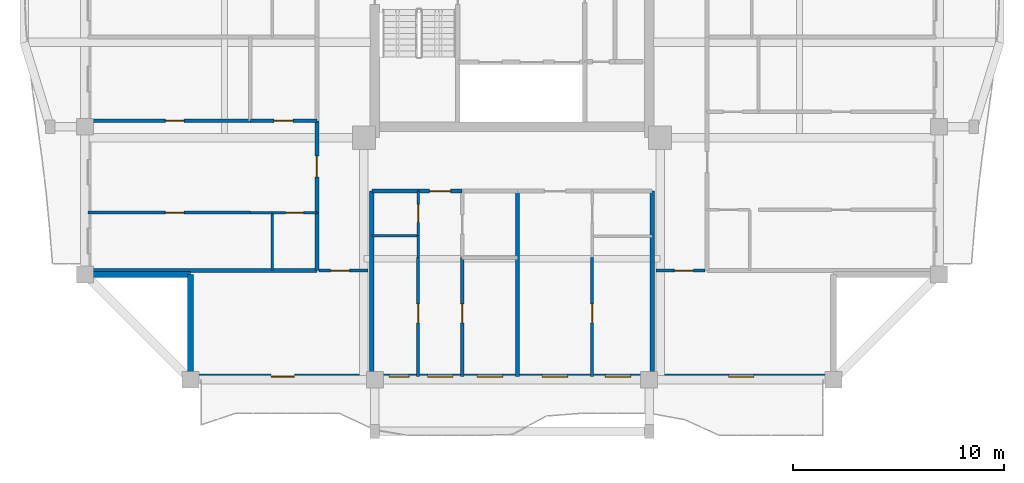
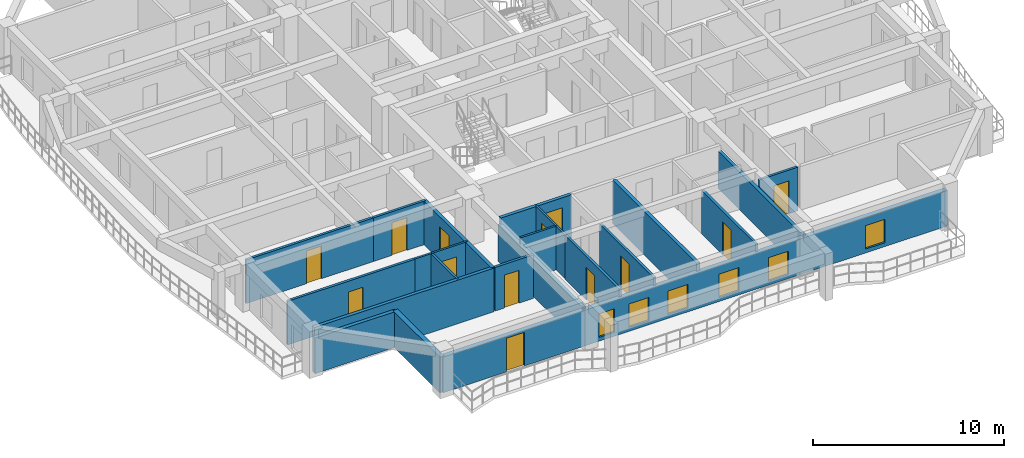
# One storey, part 2 of 13: 25 walls, 13 doors, 6 windows, 19 openings.
"""IFC4 building model written with IfcOpenShell, lengths in metres."""

import ifcopenshell
import ifcopenshell.guid

model = None  # the IFC model being written
_history = None  # IfcOwnerHistory: only IFC2X3 demands one
_inside = {}  # id of a spatial element -> (the spatial element, [elements in it])
_under = {}  # id of a project, library or spatial element -> (it, [spatial elements below it])
_declared = {}  # id of a project -> (the project, [libraries it declares])
_typed = {}  # id of a type object -> (the type object, [elements of that type])
_made_of = {}  # id of a material, layer set ... -> (it, [elements and type objects made of it])


def new_model(schema):
    """Start an empty IFC model of exactly this schema.

    Asked for "IFC4X3", IfcOpenShell would pick the latest addendum, in which some entities
    have other attributes; the version numbers below select the first issue.
    IFC2X3 requires an IfcOwnerHistory on every rooted entity: one is made here for all.
    """
    global model, _history
    if schema == "IFC4X3":
        model = ifcopenshell.file(schema_version=(4, 3, 0, 0))
    else:
        model = ifcopenshell.file(schema=schema)
    _inside.clear()
    _under.clear()
    _declared.clear()
    _typed.clear()
    _made_of.clear()
    _history = None
    if model.schema == "IFC2X3":
        org = make("IfcOrganization", Name="unknown")
        user = make(
            "IfcPersonAndOrganization",
            ThePerson=make("IfcPerson", FamilyName="unknown"),
            TheOrganization=org,
        )
        app = make(
            "IfcApplication",
            ApplicationDeveloper=org,
            Version="unknown",
            ApplicationFullName="unknown",
            ApplicationIdentifier="unknown",
        )
        _history = make(
            "IfcOwnerHistory",
            OwningUser=user,
            OwningApplication=app,
            ChangeAction="ADDED",
            CreationDate=0,
        )
    return model


def make(cls, **values):
    """One entity of the class cls with the attributes given. An attribute that is None is left unset."""
    return model.create_entity(
        cls, **{name: value for name, value in values.items() if value is not None}
    )


def rooted(cls, **values):
    """An entity with a GlobalId (a new one), such as an element, a storey or a relation."""
    return make(cls, GlobalId=ifcopenshell.guid.new(), OwnerHistory=_history, **values)


def si_unit(unit_type, name, prefix=None):
    """IfcSIUnit, for example si_unit("LENGTHUNIT", "METRE", prefix="MILLI")."""
    return make("IfcSIUnit", UnitType=unit_type, Prefix=prefix, Name=name)


def assignment(units):
    """IfcUnitAssignment: the units of a project."""
    return None if units is None else make("IfcUnitAssignment", Units=units)


def point(xyz):
    """IfcCartesianPoint."""
    return None if xyz is None else make("IfcCartesianPoint", Coordinates=xyz)


def direction(xyz):
    """IfcDirection."""
    return None if xyz is None else make("IfcDirection", DirectionRatios=xyz)


def frame(location, z_axis=None, x_axis=None):
    """IfcAxis2Placement3D, a coordinate frame: its origin and axes. An axis left out is left unset."""
    return make(
        "IfcAxis2Placement3D",
        Location=point(location),
        Axis=direction(z_axis),
        RefDirection=direction(x_axis),
    )


def frame_2d(location, x_axis=None):
    """IfcAxis2Placement2D, a coordinate frame in the plane: its origin and x axis."""
    return make(
        "IfcAxis2Placement2D", Location=point(location), RefDirection=direction(x_axis)
    )


def origin():
    """The frame at (0, 0, 0) with its axes left unset."""
    return frame((0.0, 0.0, 0.0))


def place(relative_to, where):
    """IfcLocalPlacement: puts the frame where relative to a parent placement (None: the world)."""
    return make(
        "IfcLocalPlacement", PlacementRelTo=relative_to, RelativePlacement=where
    )


def context(
    kind, dimensions, precision=None, world=None, true_north=None, identifier=None
):
    """IfcGeometricRepresentationContext, for example the 3D "Model" context."""
    return make(
        "IfcGeometricRepresentationContext",
        ContextIdentifier=identifier,
        ContextType=kind,
        CoordinateSpaceDimension=dimensions,
        Precision=precision,
        WorldCoordinateSystem=world,
        TrueNorth=true_north,
    )


def subcontext(parent, identifier, kind, view, scale=None):
    """IfcGeometricRepresentationSubContext, for example "Body" below "Model"."""
    return make(
        "IfcGeometricRepresentationSubContext",
        ContextIdentifier=identifier,
        ContextType=kind,
        ParentContext=parent,
        TargetScale=scale,
        TargetView=view,
    )


def project(units=None, contexts=None):
    """IfcProject with its units and contexts."""
    return rooted(
        "IfcProject",
        Name="project",
        RepresentationContexts=contexts,
        UnitsInContext=assignment(units),
    )


def spatial(cls, under=None, at=None, **own):
    """A site, building, storey or space (cls), placed at a placement, below another one or the project."""
    s = rooted(cls, ObjectPlacement=at, **own)
    if under is not None:
        _under.setdefault(under.id(), (under, []))[1].append(s)
    return s


def profile(cls, at=None, kind="AREA", **sizes):
    """A parametric profile (cls). Its sizes go by their IFC names, for example OverallWidth=200.0."""
    return make(cls, ProfileType=kind, Position=at, **sizes)


def rectangle(**sizes):
    """IfcRectangleProfileDef."""
    return profile("IfcRectangleProfileDef", **sizes)


def extrude(swept, where, along, depth):
    """IfcExtrudedAreaSolid: the profile swept, set in the frame where, extruded along a direction by depth."""
    return make(
        "IfcExtrudedAreaSolid",
        SweptArea=swept,
        Position=where,
        ExtrudedDirection=direction(along),
        Depth=depth,
    )


def shape(context_of_items, identifier, shape_type, items):
    """IfcShapeRepresentation: the items that make up one representation, for example the "Body"."""
    return make(
        "IfcShapeRepresentation",
        ContextOfItems=context_of_items,
        RepresentationIdentifier=identifier,
        RepresentationType=shape_type,
        Items=items,
    )


def source(mapping_origin, context_of_items, identifier, shape_type, items):
    """IfcRepresentationMap: a shape defined once, which mapped items show again and again."""
    return make(
        "IfcRepresentationMap",
        MappingOrigin=mapping_origin,
        MappedRepresentation=shape(context_of_items, identifier, shape_type, items),
    )


def transform(
    local_origin,
    x_axis=None,
    y_axis=None,
    z_axis=None,
    scale=None,
    scale2=None,
    scale3=None,
    uniform=True,
):
    """IfcCartesianTransformationOperator3D, or its non-uniform kind. x_axis, y_axis, z_axis: its Axis1, 2, 3."""
    if uniform:
        return make(
            "IfcCartesianTransformationOperator3D",
            Axis1=direction(x_axis),
            Axis2=direction(y_axis),
            LocalOrigin=point(local_origin),
            Scale=scale,
            Axis3=direction(z_axis),
        )
    return make(
        "IfcCartesianTransformationOperator3DnonUniform",
        Axis1=direction(x_axis),
        Axis2=direction(y_axis),
        LocalOrigin=point(local_origin),
        Scale=scale,
        Axis3=direction(z_axis),
        Scale2=scale2,
        Scale3=scale3,
    )


def mapped(mapping_source, mapping_target):
    """IfcMappedItem: shows the shape of a source again, moved by a transform."""
    return make(
        "IfcMappedItem", MappingSource=mapping_source, MappingTarget=mapping_target
    )


def material(Name=None, Category=None):
    """IfcMaterial."""
    return make("IfcMaterial", Name=Name, Category=Category)


def layer(
    of_material, thickness, ventilated=None, Name=None, Category=None, Priority=None
):
    """IfcMaterialLayer: one layer of a wall or slab, of a material (None: an air gap)."""
    return make(
        "IfcMaterialLayer",
        Material=of_material,
        LayerThickness=thickness,
        IsVentilated=ventilated,
        Name=Name,
        Category=Category,
        Priority=Priority,
    )


def layer_set(layers, Name=None):
    """IfcMaterialLayerSet."""
    return make("IfcMaterialLayerSet", MaterialLayers=layers, LayerSetName=Name)


def made_of(thing, what):
    """Note that an element or type object is made of a material, layer set ...; save() writes the relation."""
    if what is not None:
        _made_of.setdefault(what.id(), (what, []))[1].append(thing)
    return thing


def type_object(cls, material=None, **own):
    """A type object (cls), such as IfcWallType, which elements share."""
    return made_of(rooted(cls, **own), material)


def element(
    cls,
    number,
    at=None,
    inside=None,
    cuts=None,
    type_object=None,
    material=None,
    context=None,
    identifier="Body",
    shape_type=None,
    held_by="IfcProductDefinitionShape",
    body=None,
    shapes=None,
    **own,
):
    """One element of the class cls, such as IfcWall. Its Tag is "e" and its number.

    at: its placement. inside: the storey or other place that contains it. cuts: it is an
    opening in that element (IfcRelVoidsElement). A single representation is given by context,
    identifier, shape_type and body (its items); several are given by shapes. held_by: the class
    of the entity that holds the representations. save() writes the other relations.
    """
    e = rooted(cls, Tag="e%d" % number, ObjectPlacement=at, **own)
    if body is not None:
        shapes = [shape(context, identifier, shape_type, body)]
    if shapes is not None:
        e.Representation = make(held_by, Representations=shapes)
    if inside is not None:
        _inside.setdefault(inside.id(), (inside, []))[1].append(e)
    if cuts is not None:
        rooted(
            "IfcRelVoidsElement", RelatingBuildingElement=cuts, RelatedOpeningElement=e
        )
    if type_object is not None:
        _typed.setdefault(type_object.id(), (type_object, []))[1].append(e)
    return made_of(e, material)


def fill(opening, filler):
    """IfcRelFillsElement: the door or window that sits in an opening."""
    return rooted(
        "IfcRelFillsElement",
        RelatingOpeningElement=opening,
        RelatedBuildingElement=filler,
    )


def aggregate(whole, parts):
    """IfcRelAggregates: a whole, such as a stair, and the parts it consists of."""
    return rooted("IfcRelAggregates", RelatingObject=whole, RelatedObjects=parts)


def save(model, path):
    """Write the relations noted so far, then the file.

    IfcRelAggregates (storeys below a building ...), IfcRelContainedInSpatialStructure (elements
    in a storey), IfcRelDefinesByType, IfcRelAssociatesMaterial and IfcRelDeclares: one each for
    every whole, place, type object, material and project.
    """
    for whole, parts in _under.values():
        aggregate(whole, parts)
    for where, things in _inside.values():
        rooted(
            "IfcRelContainedInSpatialStructure",
            RelatedElements=things,
            RelatingStructure=where,
        )
    for kind, things in _typed.values():
        rooted("IfcRelDefinesByType", RelatedObjects=things, RelatingType=kind)
    for what, things in _made_of.values():
        rooted("IfcRelAssociatesMaterial", RelatedObjects=things, RelatingMaterial=what)
    for by, libraries in _declared.values():
        rooted("IfcRelDeclares", RelatingContext=by, RelatedDefinitions=libraries)
    model.write(path)


model = new_model("IFC4")

# Units and contexts
model_context = context("Model", 3, precision=1e-05, world=origin(), true_north=direction((0.0, 1.0)))
body_context = subcontext(model_context, "Body", "Model", "MODEL_VIEW")
ifc_project = project(units=[si_unit("LENGTHUNIT", "METRE"), si_unit("AREAUNIT", "SQUARE_METRE"), si_unit("VOLUMEUNIT", "CUBIC_METRE"), si_unit("PLANEANGLEUNIT", "RADIAN"), si_unit("MASSUNIT", "GRAM", prefix="KILO")], contexts=[model_context])

# Site, building, storey
site_placement = place(None, origin())
site = spatial("IfcSite", under=ifc_project, at=site_placement, CompositionType="ELEMENT")
building_placement = place(site_placement, origin())
building = spatial("IfcBuilding", under=site, at=building_placement, Name="Saelheon Loggia Tower", CompositionType="ELEMENT")
storey_placement = place(building_placement, frame((0.0, 0.0, 179.800048828125)))
storey = spatial("IfcBuildingStorey", under=building, at=storey_placement, Name="L56", CompositionType="ELEMENT", Elevation=179.800048828125)

# Wall, openings, windows, door
ifc_material_1 = material(Name="Architectural Precast Concrete C40/50", Category="concrete")
ifc_layer_1 = layer(ifc_material_1, 0.280029296875)
ifc_layer_set_1 = layer_set([ifc_layer_1], Name="Architectural Precast Concrete C40/50")
wall_type_1 = type_object("IfcWallType", Name="Wall_Ext_Loggia_280", PredefinedType="SOLIDWALL", material=ifc_layer_set_1)
wall_1_placement = place(storey_placement, frame((22.75, 6.139892578125, 0.0), z_axis=(0.0, 0.0, 1.0), x_axis=(1.0, 0.0, 0.0)))
wall_1 = element("IfcWall", 1, at=wall_1_placement, inside=storey, type_object=wall_type_1, Name="L56 South Loggia Inner Wall", PredefinedType="SOLIDWALL", context=body_context, shape_type="SweptSolid", body=[
    extrude(rectangle(XDim=30.5, YDim=0.280029296875, at=frame_2d((15.25, 0.0))), origin(), (0.0, 0.0, 1.0), 2.280029296875),
])
opening_1_placement = place(wall_1_placement, frame((4.925048828125, 0.0, 0.0), z_axis=(0.0, 0.0, 1.0), x_axis=(-1.0, 0.0, 0.0)))
opening_1 = element("IfcOpeningElement", 2, at=opening_1_placement, cuts=wall_1, Name="Opening TD1", PredefinedType="OPENING", context=body_context, shape_type="SweptSolid", body=[
    extrude(rectangle(XDim=1.10009765625, YDim=2.14990234375, at=frame_2d((0.550048828125, 1.074951171875))), frame((0.0, 0.152099609375, 0.0), z_axis=(0.0, -1.0, 0.0), x_axis=(1.0, 0.0, 0.0)), (0.0, 0.0, 1.0), 0.303955078125),
])
opening_2_placement = place(wall_1_placement, frame((9.419921875, 0.0, 0.25)))
opening_2 = element("IfcOpeningElement", 3, at=opening_2_placement, cuts=wall_1, Name="Opening WN-04", PredefinedType="OPENING", context=body_context, shape_type="SweptSolid", body=[
    extrude(rectangle(XDim=0.949951171875, YDim=1.5, at=frame_2d((0.47509765625, 0.75))), frame((0.0, 0.152099609375, 0.0), z_axis=(0.0, -1.0, 0.0), x_axis=(1.0, 0.0, 0.0)), (0.0, 0.0, 1.0), 0.303955078125),
])
opening_3_placement = place(wall_1_placement, frame((11.243896484375, 0.0, 0.25)))
opening_3 = element("IfcOpeningElement", 4, at=opening_3_placement, cuts=wall_1, Name="Opening WN-03", PredefinedType="OPENING", context=body_context, shape_type="SweptSolid", body=[
    extrude(rectangle(XDim=1.199951171875, YDim=1.5, at=frame_2d((0.60009765625, 0.75))), frame((0.0, 0.152099609375, 0.0), z_axis=(0.0, -1.0, 0.0), x_axis=(1.0, 0.0, 0.0)), (0.0, 0.0, 1.0), 0.303955078125),
])
opening_4_placement = place(wall_1_placement, frame((13.60205078125, 0.0, 0.25)))
opening_4 = element("IfcOpeningElement", 5, at=opening_4_placement, cuts=wall_1, Name="Opening WN-03", PredefinedType="OPENING", context=body_context, shape_type="SweptSolid", body=[
    extrude(rectangle(XDim=1.199951171875, YDim=1.5, at=frame_2d((0.60009765625, 0.75))), frame((0.0, 0.152099609375, 0.0), z_axis=(0.0, -1.0, 0.0), x_axis=(1.0, 0.0, 0.0)), (0.0, 0.0, 1.0), 0.303955078125),
])
opening_5_placement = place(wall_1_placement, frame((16.68310546875, 0.0, 0.25)))
opening_5 = element("IfcOpeningElement", 6, at=opening_5_placement, cuts=wall_1, Name="Opening WN-03", PredefinedType="OPENING", context=body_context, shape_type="SweptSolid", body=[
    extrude(rectangle(XDim=1.199951171875, YDim=1.5, at=frame_2d((0.60009765625, 0.75))), frame((0.0, 0.152099609375, 0.0), z_axis=(0.0, -1.0, 0.0), x_axis=(1.0, 0.0, 0.0)), (0.0, 0.0, 1.0), 0.303955078125),
])
opening_6_placement = place(wall_1_placement, frame((19.679931640625, 0.0, 0.25)))
opening_6 = element("IfcOpeningElement", 7, at=opening_6_placement, cuts=wall_1, Name="Opening WN-03", PredefinedType="OPENING", context=body_context, shape_type="SweptSolid", body=[
    extrude(rectangle(XDim=1.199951171875, YDim=1.5, at=frame_2d((0.60009765625, 0.75))), frame((0.0, 0.152099609375, 0.0), z_axis=(0.0, -1.0, 0.0), x_axis=(1.0, 0.0, 0.0)), (0.0, 0.0, 1.0), 0.303955078125),
])
opening_7_placement = place(wall_1_placement, frame((25.52490234375, 0.0, 0.25)))
opening_7 = element("IfcOpeningElement", 8, at=opening_7_placement, cuts=wall_1, Name="Opening WN-03", PredefinedType="OPENING", context=body_context, shape_type="SweptSolid", body=[
    extrude(rectangle(XDim=1.199951171875, YDim=1.5, at=frame_2d((0.60009765625, 0.75))), frame((0.0, 0.152099609375, 0.0), z_axis=(0.0, -1.0, 0.0), x_axis=(1.0, 0.0, 0.0)), (0.0, 0.0, 1.0), 0.303955078125),
])
ifc_material_2 = material(Name="Thermal-Break Aluminium and Triple Low-E Glass", Category="aluminium")
window_type_1 = type_object("IfcWindowType", Name="Win_Bedroom_1200x1500", PartitioningType="SINGLE_PANEL", PredefinedType="WINDOW", material=ifc_material_2)
shared_shape_1 = source(origin(), body_context, "Body", "SweptSolid", [
    extrude(rectangle(XDim=1.199951171875, YDim=1.5, at=frame_2d((0.60009765625, 0.75))), frame((0.0, 0.030029296875, 0.0), z_axis=(0.0, -1.0, 0.0), x_axis=(1.0, 0.0, 0.0)), (0.0, 0.0, 1.0), 0.06005859375),
])
window_1_placement = place(opening_3_placement, origin())
window_1 = element("IfcWindow", 9, at=window_1_placement, inside=storey, type_object=window_type_1, Name="L56 S Dwelling Window 3", OverallHeight=1.5, OverallWidth=1.199951171875, PartitioningType="SINGLE_PANEL", PredefinedType="WINDOW", context=body_context, shape_type="MappedRepresentation", body=[
    mapped(shared_shape_1, transform((0.0, 0.0, 0.0), scale=1.0)),
])
fill(opening_3, window_1)
window_2_placement = place(opening_4_placement, origin())
window_2 = element("IfcWindow", 10, at=window_2_placement, inside=storey, type_object=window_type_1, Name="L56 S Dwelling Window 4", OverallHeight=1.5, OverallWidth=1.199951171875, PartitioningType="SINGLE_PANEL", PredefinedType="WINDOW", context=body_context, shape_type="MappedRepresentation", body=[
    mapped(shared_shape_1, transform((0.0, 0.0, 0.0), scale=1.0)),
])
fill(opening_4, window_2)
window_3_placement = place(opening_5_placement, origin())
window_3 = element("IfcWindow", 11, at=window_3_placement, inside=storey, type_object=window_type_1, Name="L56 S Dwelling Window 5", OverallHeight=1.5, OverallWidth=1.199951171875, PartitioningType="SINGLE_PANEL", PredefinedType="WINDOW", context=body_context, shape_type="MappedRepresentation", body=[
    mapped(shared_shape_1, transform((0.0, 0.0, 0.0), scale=1.0)),
])
fill(opening_5, window_3)
window_4_placement = place(opening_6_placement, origin())
window_4 = element("IfcWindow", 12, at=window_4_placement, inside=storey, type_object=window_type_1, Name="L56 S Dwelling Window 6", OverallHeight=1.5, OverallWidth=1.199951171875, PartitioningType="SINGLE_PANEL", PredefinedType="WINDOW", context=body_context, shape_type="MappedRepresentation", body=[
    mapped(shared_shape_1, transform((0.0, 0.0, 0.0), scale=1.0)),
])
fill(opening_6, window_4)
window_5_placement = place(opening_7_placement, origin())
window_5 = element("IfcWindow", 13, at=window_5_placement, inside=storey, type_object=window_type_1, Name="L56 S Dwelling Window 7", OverallHeight=1.5, OverallWidth=1.199951171875, PartitioningType="SINGLE_PANEL", PredefinedType="WINDOW", context=body_context, shape_type="MappedRepresentation", body=[
    mapped(shared_shape_1, transform((0.0, 0.0, 0.0), scale=1.0)),
])
fill(opening_7, window_5)
ifc_material_3 = material(Name="Thermal-Break Aluminium Glazed Door", Category="aluminium")
door_type_1 = type_object("IfcDoorType", Name="Door_Terrace_TD1", OperationType="NOTDEFINED", PredefinedType="DOOR", material=ifc_material_3)
shared_shape_2 = source(origin(), body_context, "Body", "SweptSolid", [
    extrude(rectangle(XDim=1.10009765625, YDim=2.14990234375, at=frame_2d((0.550048828125, 1.074951171875))), frame((0.0, 0.02490234375, 0.0), z_axis=(0.0, -1.0, 0.0), x_axis=(1.0, 0.0, 0.0)), (0.0, 0.0, 1.0), 0.050048828125),
])
door_1_placement = place(opening_1_placement, origin())
door_1 = element("IfcDoor", 14, at=door_1_placement, inside=storey, type_object=door_type_1, Name="L56 S Loggia Access Door", OperationType="SINGLE_SWING_LEFT", OverallHeight=2.14990234375, OverallWidth=1.10009765625, PredefinedType="DOOR", context=body_context, shape_type="MappedRepresentation", body=[
    mapped(shared_shape_2, transform((0.0, 0.0, 0.0), scale=1.0)),
])
fill(opening_1, door_1)
window_type_2 = type_object("IfcWindowType", Name="Win_Narrow_950x1500", PartitioningType="SINGLE_PANEL", PredefinedType="WINDOW", material=ifc_material_2)
shared_shape_3 = source(origin(), body_context, "Body", "SweptSolid", [
    extrude(rectangle(XDim=0.949951171875, YDim=1.5, at=frame_2d((0.47509765625, 0.75))), frame((0.0, 0.030029296875, 0.0), z_axis=(0.0, -1.0, 0.0), x_axis=(1.0, 0.0, 0.0)), (0.0, 0.0, 1.0), 0.06005859375),
])
window_6_placement = place(opening_2_placement, origin())
window_6 = element("IfcWindow", 15, at=window_6_placement, inside=storey, type_object=window_type_2, Name="L56 S Dwelling Window 2", OverallHeight=1.5, OverallWidth=0.949951171875, PartitioningType="SINGLE_PANEL", PredefinedType="WINDOW", context=body_context, shape_type="MappedRepresentation", body=[
    mapped(shared_shape_3, transform((0.0, 0.0, 0.0), scale=1.0)),
])
fill(opening_2, window_6)

# Walls
for number, where, z_axis, x_axis, name in (
    (16, (22.75, 6.080078125, 0.0), (0.0, 0.0, 1.0), (0.0, 1.0, 0.0), "L56 Corner Notch Precast Wall SW1"),
    (17, (17.830078125, 11.0, 0.0), (0.0, 0.0, 1.0), (1.0, 0.0, 0.0), "L56 Corner Notch Precast Wall SW2"),
):
    element("IfcWall", number, at=place(storey_placement, frame(where, z_axis=z_axis, x_axis=x_axis)), inside=storey, type_object=wall_type_1, Name=name, PredefinedType="SOLIDWALL", context=body_context, shape_type="SweptSolid", body=[
        extrude(rectangle(XDim=4.919921875, YDim=0.280029296875, at=frame_2d((2.4599609375, 0.0))), origin(), (0.0, 0.0, 1.0), 2.280029296875),
    ])

# Wall, opening, door
ifc_material_4 = material(Name="Lightweight Autoclaved Aerated Concrete Block and Acoustic Gypsum", Category="concrete")
ifc_layer_2 = layer(ifc_material_4, 0.14990234375)
ifc_layer_set_2 = layer_set([ifc_layer_2], Name="Lightweight Autoclaved Aerated Concrete Block and Acoustic Gypsum")
wall_type_2 = type_object("IfcWallType", Name="Wall_Part_150", PredefinedType="PARTITIONING", material=ifc_layer_set_2)
wall_2_placement = place(storey_placement, frame((28.85009765625, 11.179931640625, 0.0), z_axis=(0.0, 0.0, 1.0), x_axis=(1.0, 0.0, 0.0)))
wall_2 = element("IfcWall", 18, at=wall_2_placement, inside=storey, type_object=wall_type_2, Name="PW-L56-CSW-H", PredefinedType="PARTITIONING", context=body_context, shape_type="SweptSolid", body=[
    extrude(rectangle(XDim=2.329833984375, YDim=0.14990234375, at=frame_2d((1.1650390625, 0.0))), origin(), (0.0, 0.0, 1.0), 2.7900390625),
])
opening_8_placement = place(wall_2_placement, frame((0.550048828125, 0.0, 0.0)))
opening_8 = element("IfcOpeningElement", 19, at=opening_8_placement, cuts=wall_2, Name="Opening D-IN2", PredefinedType="OPENING", context=body_context, shape_type="SweptSolid", body=[
    extrude(rectangle(XDim=0.89990234375, YDim=2.10009765625, at=frame_2d((0.449951171875, 1.050048828125))), frame((0.0, 0.0869140625, 0.0), z_axis=(0.0, -1.0, 0.0), x_axis=(1.0, 0.0, 0.0)), (0.0, 0.0, 1.0), 0.173828125),
])
ifc_material_5 = material(Name="Engineered Oak Flush Door", Category="timber")
door_type_2 = type_object("IfcDoorType", Name="Door_Int_900", OperationType="NOTDEFINED", PredefinedType="DOOR", material=ifc_material_5)
shared_shape_4 = source(origin(), body_context, "Body", "SweptSolid", [
    extrude(rectangle(XDim=0.89990234375, YDim=2.10009765625, at=frame_2d((0.449951171875, 1.050048828125))), frame((0.0, 0.02490234375, 0.0), z_axis=(0.0, -1.0, 0.0), x_axis=(1.0, 0.0, 0.0)), (0.0, 0.0, 1.0), 0.050048828125),
])
door_2_placement = place(opening_8_placement, origin())
door_2 = element("IfcDoor", 20, at=door_2_placement, inside=storey, type_object=door_type_2, Name="L56 Corner Home Office SW Door", OperationType="SINGLE_SWING_RIGHT", OverallHeight=2.10009765625, OverallWidth=0.89990234375, PredefinedType="DOOR", context=body_context, shape_type="MappedRepresentation", body=[
    mapped(shared_shape_4, transform((0.0, 0.0, 0.0), scale=1.0)),
])
fill(opening_8, door_2)

wall_3_placement = place(storey_placement, frame((44.820068359375, 11.179931640625, 0.0), z_axis=(0.0, 0.0, 1.0), x_axis=(1.0, 0.0, 0.0)))
wall_3 = element("IfcWall", 21, at=wall_3_placement, inside=storey, type_object=wall_type_2, Name="PW-L56-CSE-H", PredefinedType="PARTITIONING", context=body_context, shape_type="SweptSolid", body=[
    extrude(rectangle(XDim=2.329833984375, YDim=0.14990234375, at=frame_2d((1.1650390625, 0.0))), origin(), (0.0, 0.0, 1.0), 2.7900390625),
])
opening_9_placement = place(wall_3_placement, frame((0.8798828125, 0.0, 0.0)))
opening_9 = element("IfcOpeningElement", 22, at=opening_9_placement, cuts=wall_3, Name="Opening D-IN2", PredefinedType="OPENING", context=body_context, shape_type="SweptSolid", body=[
    extrude(rectangle(XDim=0.89990234375, YDim=2.10009765625, at=frame_2d((0.449951171875, 1.050048828125))), frame((0.0, 0.0869140625, 0.0), z_axis=(0.0, -1.0, 0.0), x_axis=(1.0, 0.0, 0.0)), (0.0, 0.0, 1.0), 0.173828125),
])
door_3_placement = place(opening_9_placement, origin())
door_3 = element("IfcDoor", 23, at=door_3_placement, inside=storey, type_object=door_type_2, Name="L56 Corner Reading Room SE Door", OperationType="SINGLE_SWING_RIGHT", OverallHeight=2.10009765625, OverallWidth=0.89990234375, PredefinedType="DOOR", context=body_context, shape_type="MappedRepresentation", body=[
    mapped(shared_shape_4, transform((0.0, 0.0, 0.0), scale=1.0)),
])
fill(opening_9, door_3)

wall_4_placement = place(storey_placement, frame((33.550048828125, 11.7900390625, 0.0), z_axis=(0.0, 0.0, 1.0), x_axis=(0.0, -1.0, 0.0)))
wall_4 = element("IfcWall", 24, at=wall_4_placement, inside=storey, type_object=wall_type_2, Name="L56 S Partition U10", PredefinedType="PARTITIONING", context=body_context, shape_type="SweptSolid", body=[
    extrude(rectangle(XDim=5.64013671875, YDim=0.14990234375, at=frame_2d((2.820068359375, 0.0))), origin(), (0.0, 0.0, 1.0), 2.7900390625),
])
opening_10_placement = place(wall_4_placement, frame((2.1923828125, 0.0, 0.0)))
opening_10 = element("IfcOpeningElement", 25, at=opening_10_placement, cuts=wall_4, Name="Opening D-IN2", PredefinedType="OPENING", context=body_context, shape_type="SweptSolid", body=[
    extrude(rectangle(XDim=0.89990234375, YDim=2.10009765625, at=frame_2d((0.449951171875, 1.050048828125))), frame((0.0, 0.0869140625, 0.0), z_axis=(0.0, -1.0, 0.0), x_axis=(1.0, 0.0, 0.0)), (0.0, 0.0, 1.0), 0.173828125),
])
door_4_placement = place(opening_10_placement, origin())
door_4 = element("IfcDoor", 26, at=door_4_placement, inside=storey, type_object=door_type_2, Name="Unit U01 Kitchen Door", OperationType="SINGLE_SWING_RIGHT", OverallHeight=2.10009765625, OverallWidth=0.89990234375, PredefinedType="DOOR", context=body_context, shape_type="MappedRepresentation", body=[
    mapped(shared_shape_4, transform((0.0, 0.0, 0.0), scale=1.0)),
])
fill(opening_10, door_4)

wall_5_placement = place(storey_placement, frame((35.637939453125, 11.7900390625, 0.0), z_axis=(0.0, 0.0, 1.0), x_axis=(0.0, -1.0, 0.0)))
wall_5 = element("IfcWall", 27, at=wall_5_placement, inside=storey, type_object=wall_type_2, Name="L56 S Partition U12", PredefinedType="PARTITIONING", context=body_context, shape_type="SweptSolid", body=[
    extrude(rectangle(XDim=5.64013671875, YDim=0.14990234375, at=frame_2d((2.820068359375, 0.0))), origin(), (0.0, 0.0, 1.0), 2.7900390625),
])
opening_11_placement = place(wall_5_placement, frame((2.1923828125, 0.0, 0.0)))
opening_11 = element("IfcOpeningElement", 28, at=opening_11_placement, cuts=wall_5, Name="Opening D-IN2", PredefinedType="OPENING", context=body_context, shape_type="SweptSolid", body=[
    extrude(rectangle(XDim=0.89990234375, YDim=2.10009765625, at=frame_2d((0.449951171875, 1.050048828125))), frame((0.0, 0.0869140625, 0.0), z_axis=(0.0, -1.0, 0.0), x_axis=(1.0, 0.0, 0.0)), (0.0, 0.0, 1.0), 0.173828125),
])
door_5_placement = place(opening_11_placement, origin())
door_5 = element("IfcDoor", 29, at=door_5_placement, inside=storey, type_object=door_type_2, Name="Unit U01 Bedroom 1 Door", OperationType="SINGLE_SWING_RIGHT", OverallHeight=2.10009765625, OverallWidth=0.89990234375, PredefinedType="DOOR", context=body_context, shape_type="MappedRepresentation", body=[
    mapped(shared_shape_4, transform((0.0, 0.0, 0.0), scale=1.0)),
])
fill(opening_11, door_5)

wall_6_placement = place(storey_placement, frame((41.800048828125, 11.7900390625, 0.0), z_axis=(0.0, 0.0, 1.0), x_axis=(0.0, -1.0, 0.0)))
wall_6 = element("IfcWall", 30, at=wall_6_placement, inside=storey, type_object=wall_type_2, Name="L56 S Partition U19", PredefinedType="PARTITIONING", context=body_context, shape_type="SweptSolid", body=[
    extrude(rectangle(XDim=5.64013671875, YDim=0.14990234375, at=frame_2d((2.820068359375, 0.0))), origin(), (0.0, 0.0, 1.0), 2.7900390625),
])
opening_12_placement = place(wall_6_placement, frame((2.1923828125, 0.0, 0.0)))
opening_12 = element("IfcOpeningElement", 31, at=opening_12_placement, cuts=wall_6, Name="Opening D-IN2", PredefinedType="OPENING", context=body_context, shape_type="SweptSolid", body=[
    extrude(rectangle(XDim=0.89990234375, YDim=2.10009765625, at=frame_2d((0.449951171875, 1.050048828125))), frame((0.0, 0.0869140625, 0.0), z_axis=(0.0, -1.0, 0.0), x_axis=(1.0, 0.0, 0.0)), (0.0, 0.0, 1.0), 0.173828125),
])
door_6_placement = place(opening_12_placement, origin())
door_6 = element("IfcDoor", 32, at=door_6_placement, inside=storey, type_object=door_type_2, Name="Unit U02 Kitchen Door", OperationType="SINGLE_SWING_LEFT", OverallHeight=2.10009765625, OverallWidth=0.89990234375, PredefinedType="DOOR", context=body_context, shape_type="MappedRepresentation", body=[
    mapped(shared_shape_4, transform((0.0, 0.0, 0.0), scale=1.0)),
])
fill(opening_12, door_6)

wall_7_placement = place(storey_placement, frame((25.590087890625, 13.929931640625, 0.0), z_axis=(0.0, 0.0, 1.0), x_axis=(-1.0, 0.0, 0.0)))
wall_7 = element("IfcWall", 33, at=wall_7_placement, inside=storey, type_object=wall_type_2, Name="L56 W Partition U10", PredefinedType="PARTITIONING", context=body_context, shape_type="SweptSolid", body=[
    extrude(rectangle(XDim=7.690185546875, YDim=0.14990234375, at=frame_2d((3.84521484375, 0.0))), origin(), (0.0, 0.0, 1.0), 2.7900390625),
])
opening_13_placement = place(wall_7_placement, frame((3.132080078125, 0.0, 0.0)))
opening_13 = element("IfcOpeningElement", 34, at=opening_13_placement, cuts=wall_7, Name="Opening D-IN2", PredefinedType="OPENING", context=body_context, shape_type="SweptSolid", body=[
    extrude(rectangle(XDim=0.89990234375, YDim=2.10009765625, at=frame_2d((0.449951171875, 1.050048828125))), frame((0.0, 0.0869140625, 0.0), z_axis=(0.0, -1.0, 0.0), x_axis=(1.0, 0.0, 0.0)), (0.0, 0.0, 1.0), 0.173828125),
])
door_7_placement = place(opening_13_placement, origin())
door_7 = element("IfcDoor", 35, at=door_7_placement, inside=storey, type_object=door_type_2, Name="Unit U05 Kitchen Door", OperationType="SINGLE_SWING_LEFT", OverallHeight=2.10009765625, OverallWidth=0.89990234375, PredefinedType="DOOR", context=body_context, shape_type="MappedRepresentation", body=[
    mapped(shared_shape_4, transform((0.0, 0.0, 0.0), scale=1.0)),
])
fill(opening_13, door_7)

wall_8_placement = place(storey_placement, frame((28.75, 18.280029296875, 0.0), z_axis=(0.0, 0.0, 1.0), x_axis=(-1.0, 0.0, 0.0)))
wall_8 = element("IfcWall", 36, at=wall_8_placement, inside=storey, type_object=wall_type_2, Name="L56 W Partition U11", PredefinedType="PARTITIONING", context=body_context, shape_type="SweptSolid", body=[
    extrude(rectangle(XDim=3.159912109375, YDim=0.14990234375, at=frame_2d((1.580078125, 0.0))), origin(), (0.0, 0.0, 1.0), 2.7900390625),
])
opening_14_placement = place(wall_8_placement, frame((1.1298828125, 0.0, 0.0)))
opening_14 = element("IfcOpeningElement", 37, at=opening_14_placement, cuts=wall_8, Name="Opening D-IN2", PredefinedType="OPENING", context=body_context, shape_type="SweptSolid", body=[
    extrude(rectangle(XDim=0.89990234375, YDim=2.10009765625, at=frame_2d((0.449951171875, 1.050048828125))), frame((0.0, 0.0869140625, 0.0), z_axis=(0.0, -1.0, 0.0), x_axis=(1.0, 0.0, 0.0)), (0.0, 0.0, 1.0), 0.173828125),
])
door_8_placement = place(opening_14_placement, origin())
door_8 = element("IfcDoor", 38, at=door_8_placement, inside=storey, type_object=door_type_2, Name="Unit U05 Home Office Door", OperationType="SINGLE_SWING_RIGHT", OverallHeight=2.10009765625, OverallWidth=0.89990234375, PredefinedType="DOOR", context=body_context, shape_type="MappedRepresentation", body=[
    mapped(shared_shape_4, transform((0.0, 0.0, 0.0), scale=1.0)),
])
fill(opening_14, door_8)

wall_9_placement = place(storey_placement, frame((25.590087890625, 18.280029296875, 0.0), z_axis=(0.0, 0.0, 1.0), x_axis=(-1.0, 0.0, 0.0)))
wall_9 = element("IfcWall", 39, at=wall_9_placement, inside=storey, type_object=wall_type_2, Name="L56 W Partition U12", PredefinedType="PARTITIONING", context=body_context, shape_type="SweptSolid", body=[
    extrude(rectangle(XDim=7.690185546875, YDim=0.14990234375, at=frame_2d((3.84521484375, 0.0))), origin(), (0.0, 0.0, 1.0), 2.7900390625),
])
opening_15_placement = place(wall_9_placement, frame((3.132080078125, 0.0, 0.0)))
opening_15 = element("IfcOpeningElement", 40, at=opening_15_placement, cuts=wall_9, Name="Opening D-IN2", PredefinedType="OPENING", context=body_context, shape_type="SweptSolid", body=[
    extrude(rectangle(XDim=0.89990234375, YDim=2.10009765625, at=frame_2d((0.449951171875, 1.050048828125))), frame((0.0, 0.0869140625, 0.0), z_axis=(0.0, -1.0, 0.0), x_axis=(1.0, 0.0, 0.0)), (0.0, 0.0, 1.0), 0.173828125),
])
door_9_placement = place(opening_15_placement, origin())
door_9 = element("IfcDoor", 41, at=door_9_placement, inside=storey, type_object=door_type_2, Name="Unit U05 Bedroom 1 Door", OperationType="SINGLE_SWING_LEFT", OverallHeight=2.10009765625, OverallWidth=0.89990234375, PredefinedType="DOOR", context=body_context, shape_type="MappedRepresentation", body=[
    mapped(shared_shape_4, transform((0.0, 0.0, 0.0), scale=1.0)),
])
fill(opening_15, door_9)

# Walls
ifc_material_6 = material(Name="Double Acoustic Stud and Fireboard Partition", Category="gypsum")
ifc_layer_3 = layer(ifc_material_6, 0.199951171875)
ifc_layer_set_3 = layer_set([ifc_layer_3], Name="Double Acoustic Stud and Fireboard Partition")
wall_type_3 = type_object("IfcWallType", Name="Wall_Party_200", PredefinedType="PARTITIONING", material=ifc_layer_set_3)
for number, where, z_axis, x_axis, name in (
    (42, (31.35009765625, 14.949951171875, 0.0), (0.0, 0.0, 1.0), (0.0, -1.0, 0.0), "L56 S Partition U01"),
    (43, (44.64990234375, 14.949951171875, 0.0), (0.0, 0.0, 1.0), (0.0, -1.0, 0.0), "L56 S Partition U02"),
):
    element("IfcWall", number, at=place(storey_placement, frame(where, z_axis=z_axis, x_axis=x_axis)), inside=storey, type_object=wall_type_3, Name=name, PredefinedType="PARTITIONING", context=body_context, shape_type="SweptSolid", body=[
        extrude(rectangle(XDim=8.800048828125, YDim=0.199951171875, at=frame_2d((4.39990234375, 0.0))), origin(), (0.0, 0.0, 1.0), 2.389892578125),
    ])
wall_10_placement = place(storey_placement, frame((31.35009765625, 14.949951171875, 0.0), z_axis=(0.0, 0.0, 1.0), x_axis=(1.0, 0.0, 0.0)))
element("IfcWall", 44, at=wall_10_placement, inside=storey, type_object=wall_type_3, Name="L56 S Partition V03", PredefinedType="PARTITIONING", context=body_context, shape_type="SweptSolid", body=[
    extrude(rectangle(XDim=2.199951171875, YDim=0.199951171875, at=frame_2d((1.10009765625, 0.0))), origin(), (0.0, 0.0, 1.0), 2.7900390625),
])

# Wall, opening, door
wall_11_placement = place(storey_placement, frame((33.550048828125, 14.949951171875, 0.0), z_axis=(0.0, 0.0, 1.0), x_axis=(1.0, 0.0, 0.0)))
wall_11 = element("IfcWall", 45, at=wall_11_placement, inside=storey, type_object=wall_type_3, Name="L56 S Partition V04", PredefinedType="PARTITIONING", context=body_context, shape_type="SweptSolid", body=[
    extrude(rectangle(XDim=2.087890625, YDim=0.199951171875, at=frame_2d((1.0439453125, 0.0))), origin(), (0.0, 0.0, 1.0), 2.7900390625),
])
opening_16_placement = place(wall_11_placement, frame((0.5439453125, 0.0, 0.0)))
opening_16 = element("IfcOpeningElement", 46, at=opening_16_placement, cuts=wall_11, Name="Opening D-FD1", PredefinedType="OPENING", context=body_context, shape_type="SweptSolid", body=[
    extrude(rectangle(XDim=1.0, YDim=2.14990234375, at=frame_2d((0.5, 1.074951171875))), frame((0.0, 0.112060546875, 0.0), z_axis=(0.0, -1.0, 0.0), x_axis=(1.0, 0.0, 0.0)), (0.0, 0.0, 1.0), 0.223876953125),
])
ifc_material_7 = material(Name="Fire-Rated Engineered Timber Entrance Door", Category="wood")
door_type_3 = type_object("IfcDoorType", Name="Door_Flat_FD30S", OperationType="NOTDEFINED", PredefinedType="DOOR", material=ifc_material_7)
shared_shape_5 = source(origin(), body_context, "Body", "SweptSolid", [
    extrude(rectangle(XDim=1.0, YDim=2.14990234375, at=frame_2d((0.5, 1.074951171875))), frame((0.0, 0.02490234375, 0.0), z_axis=(0.0, -1.0, 0.0), x_axis=(1.0, 0.0, 0.0)), (0.0, 0.0, 1.0), 0.050048828125),
])
door_10_placement = place(opening_16_placement, origin())
door_10 = element("IfcDoor", 47, at=door_10_placement, inside=storey, type_object=door_type_3, Name="Unit U01 Entrance Door", OperationType="SINGLE_SWING_RIGHT", OverallHeight=2.14990234375, OverallWidth=1.0, PredefinedType="DOOR", context=body_context, shape_type="MappedRepresentation", body=[
    mapped(shared_shape_5, transform((0.0, 0.0, 0.0), scale=1.0)),
])
fill(opening_16, door_10)

# Walls
wall_12_placement = place(storey_placement, frame((38.26611328125, 14.949951171875, 0.0), z_axis=(0.0, 0.0, 1.0), x_axis=(0.0, -1.0, 0.0)))
element("IfcWall", 48, at=wall_12_placement, inside=storey, type_object=wall_type_3, Name="L56 S Partition U13", PredefinedType="PARTITIONING", context=body_context, shape_type="SweptSolid", body=[
    extrude(rectangle(XDim=8.800048828125, YDim=0.199951171875, at=frame_2d((4.39990234375, 0.0))), origin(), (0.0, 0.0, 1.0), 2.7900390625),
])
wall_13_placement = place(storey_placement, frame((28.75, 11.179931640625, 0.0), z_axis=(0.0, 0.0, 1.0), x_axis=(-1.0, 0.0, 0.0)))
element("IfcWall", 49, at=wall_13_placement, inside=storey, type_object=wall_type_3, Name="L56 W Partition U01", PredefinedType="PARTITIONING", context=body_context, shape_type="SweptSolid", body=[
    extrude(rectangle(XDim=10.85009765625, YDim=0.199951171875, at=frame_2d((5.425048828125, 0.0))), origin(), (0.0, 0.0, 1.0), 2.7900390625),
])
wall_14_placement = place(storey_placement, frame((28.75, 11.179931640625, 0.0), z_axis=(0.0, 0.0, 1.0), x_axis=(0.0, 1.0, 0.0)))
element("IfcWall", 50, at=wall_14_placement, inside=storey, type_object=wall_type_3, Name="L56 W Partition V03", PredefinedType="PARTITIONING", context=body_context, shape_type="SweptSolid", body=[
    extrude(rectangle(XDim=2.75, YDim=0.199951171875, at=frame_2d((1.375, 0.0))), origin(), (0.0, 0.0, 1.0), 2.7900390625),
])

# Wall, opening, door
wall_15_placement = place(storey_placement, frame((28.75, 13.929931640625, 0.0), z_axis=(0.0, 0.0, 1.0), x_axis=(0.0, 1.0, 0.0)))
wall_15 = element("IfcWall", 51, at=wall_15_placement, inside=storey, type_object=wall_type_3, Name="L56 W Partition V04", PredefinedType="PARTITIONING", context=body_context, shape_type="SweptSolid", body=[
    extrude(rectangle(XDim=4.35009765625, YDim=0.199951171875, at=frame_2d((2.175048828125, 0.0))), origin(), (0.0, 0.0, 1.0), 2.7900390625),
])
opening_17_placement = place(wall_15_placement, frame((1.675048828125, 0.0, 0.0)))
opening_17 = element("IfcOpeningElement", 52, at=opening_17_placement, cuts=wall_15, Name="Opening D-FD1", PredefinedType="OPENING", context=body_context, shape_type="SweptSolid", body=[
    extrude(rectangle(XDim=1.0, YDim=2.14990234375, at=frame_2d((0.5, 1.074951171875))), frame((0.0, 0.112060546875, 0.0), z_axis=(0.0, -1.0, 0.0), x_axis=(1.0, 0.0, 0.0)), (0.0, 0.0, 1.0), 0.223876953125),
])
door_11_placement = place(opening_17_placement, origin())
door_11 = element("IfcDoor", 53, at=door_11_placement, inside=storey, type_object=door_type_3, Name="Unit U05 Entrance Door", OperationType="SINGLE_SWING_LEFT", OverallHeight=2.14990234375, OverallWidth=1.0, PredefinedType="DOOR", context=body_context, shape_type="MappedRepresentation", body=[
    mapped(shared_shape_5, transform((0.0, 0.0, 0.0), scale=1.0)),
])
fill(opening_17, door_11)

# Wall
ifc_material_8 = material(Name="Moisture-Resistant Cement Board Partition", Category="gypsum")
ifc_layer_4 = layer(ifc_material_8, 0.1201171875)
ifc_layer_set_4 = layer_set([ifc_layer_4], Name="Moisture-Resistant Cement Board Partition")
wall_type_4 = type_object("IfcWallType", Name="Wall_WetPart_120", PredefinedType="PARTITIONING", material=ifc_layer_set_4)
wall_16_placement = place(storey_placement, frame((31.35009765625, 12.830078125, 0.0), z_axis=(0.0, 0.0, 1.0), x_axis=(1.0, 0.0, 0.0)))
element("IfcWall", 54, at=wall_16_placement, inside=storey, type_object=wall_type_4, Name="L56 S Partition V06", PredefinedType="PARTITIONING", context=body_context, shape_type="SweptSolid", body=[
    extrude(rectangle(XDim=2.199951171875, YDim=0.1201171875, at=frame_2d((1.10009765625, 0.0))), origin(), (0.0, 0.0, 1.0), 2.7900390625),
])

# Wall, opening, door
wall_17_placement = place(storey_placement, frame((33.550048828125, 14.949951171875, 0.0), z_axis=(0.0, 0.0, 1.0), x_axis=(0.0, -1.0, 0.0)))
wall_17 = element("IfcWall", 55, at=wall_17_placement, inside=storey, type_object=wall_type_4, Name="L56 S Partition U08", PredefinedType="PARTITIONING", context=body_context, shape_type="SweptSolid", body=[
    extrude(rectangle(XDim=2.119873046875, YDim=0.1201171875, at=frame_2d((1.06005859375, 0.0))), origin(), (0.0, 0.0, 1.0), 2.7900390625),
])
opening_18_placement = place(wall_17_placement, frame((0.635009765625, 0.0, 0.0)))
opening_18 = element("IfcOpeningElement", 56, at=opening_18_placement, cuts=wall_17, Name="Opening D-BT1", PredefinedType="OPENING", context=body_context, shape_type="SweptSolid", body=[
    extrude(rectangle(XDim=0.85009765625, YDim=2.050048828125, at=frame_2d((0.425048828125, 1.02490234375))), frame((0.0, 0.072021484375, 0.0), z_axis=(0.0, -1.0, 0.0), x_axis=(1.0, 0.0, 0.0)), (0.0, 0.0, 1.0), 0.14404296875),
])
ifc_material_9 = material(Name="Moisture-Resistant Laminate Timber Door", Category="wood")
door_type_4 = type_object("IfcDoorType", Name="Door_Bath_850", OperationType="NOTDEFINED", PredefinedType="DOOR", material=ifc_material_9)
shared_shape_6 = source(origin(), body_context, "Body", "SweptSolid", [
    extrude(rectangle(XDim=0.85009765625, YDim=2.050048828125, at=frame_2d((0.425048828125, 1.02490234375))), frame((0.0, 0.02490234375, 0.0), z_axis=(0.0, -1.0, 0.0), x_axis=(1.0, 0.0, 0.0)), (0.0, 0.0, 1.0), 0.050048828125),
])
door_12_placement = place(opening_18_placement, origin())
door_12 = element("IfcDoor", 57, at=door_12_placement, inside=storey, type_object=door_type_4, Name="Unit U01 Bathroom Door", OperationType="SINGLE_SWING_LEFT", OverallHeight=2.050048828125, OverallWidth=0.85009765625, PredefinedType="DOOR", context=body_context, shape_type="MappedRepresentation", body=[
    mapped(shared_shape_6, transform((0.0, 0.0, 0.0), scale=1.0)),
])
fill(opening_18, door_12)

# Walls
wall_18_placement = place(storey_placement, frame((33.550048828125, 12.830078125, 0.0), z_axis=(0.0, 0.0, 1.0), x_axis=(0.0, -1.0, 0.0)))
element("IfcWall", 58, at=wall_18_placement, inside=storey, type_object=wall_type_4, Name="L56 S Partition U09", PredefinedType="PARTITIONING", context=body_context, shape_type="SweptSolid", body=[
    extrude(rectangle(XDim=1.0400390625, YDim=0.1201171875, at=frame_2d((0.52001953125, 0.0))), origin(), (0.0, 0.0, 1.0), 2.7900390625),
])
wall_19_placement = place(storey_placement, frame((26.6298828125, 11.179931640625, 0.0), z_axis=(0.0, 0.0, 1.0), x_axis=(0.0, 1.0, 0.0)))
element("IfcWall", 59, at=wall_19_placement, inside=storey, type_object=wall_type_4, Name="L56 W Partition V06", PredefinedType="PARTITIONING", context=body_context, shape_type="SweptSolid", body=[
    extrude(rectangle(XDim=2.75, YDim=0.1201171875, at=frame_2d((1.375, 0.0))), origin(), (0.0, 0.0, 1.0), 2.7900390625),
])

# Wall, opening, door
wall_20_placement = place(storey_placement, frame((28.75, 13.929931640625, 0.0), z_axis=(0.0, 0.0, 1.0), x_axis=(-1.0, 0.0, 0.0)))
wall_20 = element("IfcWall", 60, at=wall_20_placement, inside=storey, type_object=wall_type_4, Name="L56 W Partition U08", PredefinedType="PARTITIONING", context=body_context, shape_type="SweptSolid", body=[
    extrude(rectangle(XDim=2.1201171875, YDim=0.1201171875, at=frame_2d((1.06005859375, 0.0))), origin(), (0.0, 0.0, 1.0), 2.7900390625),
])
opening_19_placement = place(wall_20_placement, frame((0.635009765625, 0.0, 0.0)))
opening_19 = element("IfcOpeningElement", 61, at=opening_19_placement, cuts=wall_20, Name="Opening D-BT1", PredefinedType="OPENING", context=body_context, shape_type="SweptSolid", body=[
    extrude(rectangle(XDim=0.85009765625, YDim=2.050048828125, at=frame_2d((0.425048828125, 1.02490234375))), frame((0.0, 0.072021484375, 0.0), z_axis=(0.0, -1.0, 0.0), x_axis=(1.0, 0.0, 0.0)), (0.0, 0.0, 1.0), 0.14404296875),
])
door_13_placement = place(opening_19_placement, origin())
door_13 = element("IfcDoor", 62, at=door_13_placement, inside=storey, type_object=door_type_4, Name="Unit U05 Bathroom Door", OperationType="SINGLE_SWING_RIGHT", OverallHeight=2.050048828125, OverallWidth=0.85009765625, PredefinedType="DOOR", context=body_context, shape_type="MappedRepresentation", body=[
    mapped(shared_shape_6, transform((0.0, 0.0, 0.0), scale=1.0)),
])
fill(opening_19, door_13)

# Wall
wall_21_placement = place(storey_placement, frame((26.6298828125, 13.929931640625, 0.0), z_axis=(0.0, 0.0, 1.0), x_axis=(-1.0, 0.0, 0.0)))
element("IfcWall", 63, at=wall_21_placement, inside=storey, type_object=wall_type_4, Name="L56 W Partition U09", PredefinedType="PARTITIONING", context=body_context, shape_type="SweptSolid", body=[
    extrude(rectangle(XDim=1.039794921875, YDim=0.1201171875, at=frame_2d((0.52001953125, 0.0))), origin(), (0.0, 0.0, 1.0), 2.7900390625),
])

save(model, "model.ifc")
